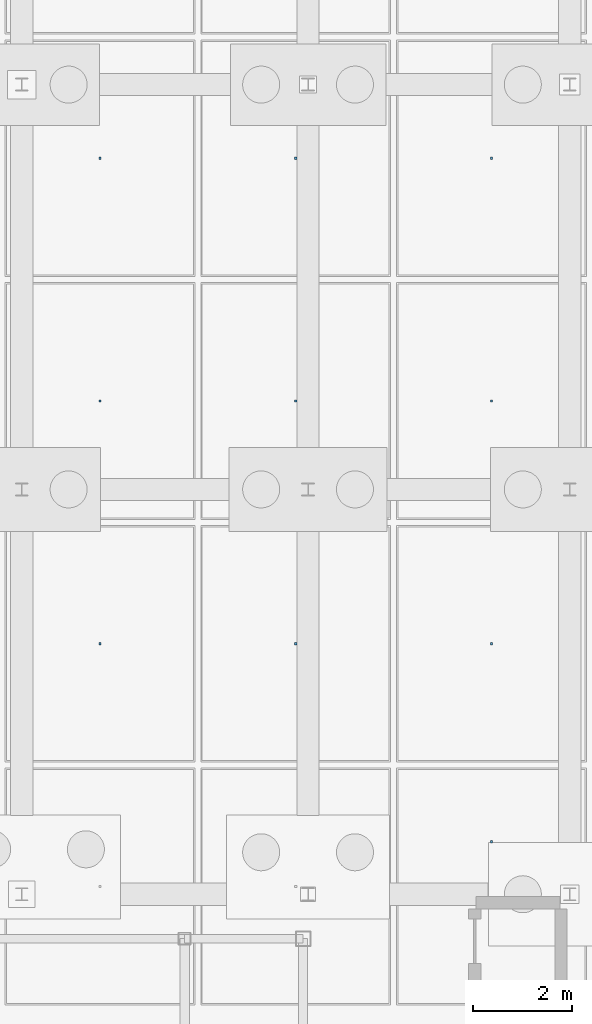
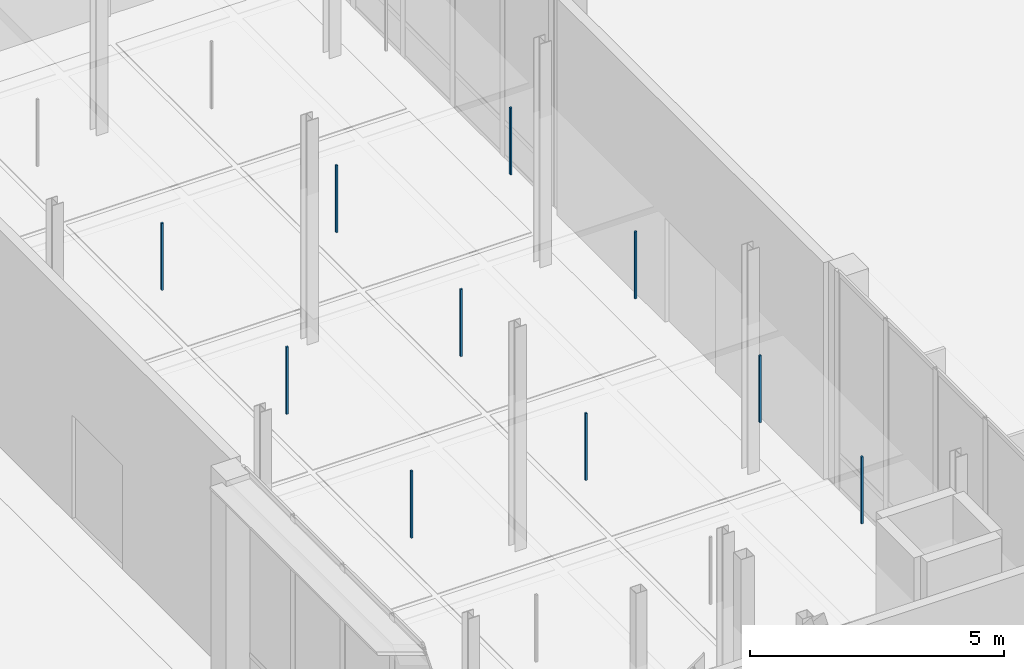
# One storey, part 123 of 180: 10 discrete accessories.
"""IFC4 building model written with IfcOpenShell, lengths in metres."""

from ifc_helpers import new_model, si_unit, direction, frame, origin, origin_2d, place, context, subcontext, project, spatial, rectangle, extrude, material, type_object, element, save


model = new_model("IFC4")

# Units and contexts
model_context = context("Model", 3, precision=1e-05, world=origin(), true_north=direction((0.0, 1.0)))
body_context = subcontext(model_context, "Body", "Model", "MODEL_VIEW")
ifc_project = project(units=[si_unit("LENGTHUNIT", "METRE"), si_unit("AREAUNIT", "SQUARE_METRE"), si_unit("VOLUMEUNIT", "CUBIC_METRE"), si_unit("PLANEANGLEUNIT", "RADIAN"), si_unit("MASSUNIT", "GRAM", prefix="KILO"), si_unit("THERMODYNAMICTEMPERATUREUNIT", "KELVIN"), si_unit("POWERUNIT", "WATT")], contexts=[model_context])

# Site, building, storey
site_placement = place(None, origin())
site = spatial("IfcSite", under=ifc_project, at=site_placement, CompositionType="ELEMENT")
building_placement = place(site_placement, origin())
building = spatial("IfcBuilding", under=site, at=building_placement, Name="Tallowbark Science Centre", CompositionType="ELEMENT")
storey_placement = place(building_placement, origin())
storey = spatial("IfcBuildingStorey", under=building, at=storey_placement, Name="L00", CompositionType="ELEMENT", Elevation=0.0)

# Discrete accessories
ifc_material = material(Name="Galvanised Steel Grade C350L0 (350 MPa)", Category="steel")
discrete_accessory_type = type_object("IfcDiscreteAccessoryType", Name="ACC-CLG-HNG", PredefinedType="BRACKET", material=ifc_material)
for number, where, z_axis, x_axis, name in (
    (1, (101.783203125, 48.875, 3.609375), (0.0, 0.0, 1.0), (1.0, 0.0, 0.0), "Ceiling Hanger Bracket L00-466"),
    (2, (101.783203125, 53.791748046875, 3.609375), (0.0, 0.0, 1.0), (1.0, 0.0, 0.0), "Ceiling Hanger Bracket L00-467"),
    (3, (101.783203125, 58.708251953125, 3.609375), (0.0, 0.0, 1.0), (1.0, 0.0, 0.0), "Ceiling Hanger Bracket L00-468"),
    (4, (105.75, 48.875, 3.609375), (0.0, 0.0, 1.0), (1.0, 0.0, 0.0), "Ceiling Hanger Bracket L00-472"),
    (5, (105.75, 53.791748046875, 3.609375), (0.0, 0.0, 1.0), (1.0, 0.0, 0.0), "Ceiling Hanger Bracket L00-473"),
    (6, (105.75, 58.708251953125, 3.609375), (0.0, 0.0, 1.0), (1.0, 0.0, 0.0), "Ceiling Hanger Bracket L00-474"),
    (7, (109.716796875, 44.86328125, 3.609375), (0.0, 0.0, 1.0), (1.0, 0.0, 0.0), "Ceiling Hanger Bracket L00-477"),
    (8, (109.716796875, 48.875, 3.609375), (0.0, 0.0, 1.0), (1.0, 0.0, 0.0), "Ceiling Hanger Bracket L00-478"),
    (9, (109.716796875, 53.791748046875, 3.609375), (0.0, 0.0, 1.0), (1.0, 0.0, 0.0), "Ceiling Hanger Bracket L00-479"),
    (10, (109.716796875, 58.708251953125, 3.609375), (0.0, 0.0, 1.0), (1.0, 0.0, 0.0), "Ceiling Hanger Bracket L00-480"),
):
    element("IfcDiscreteAccessory", number, at=place(storey_placement, frame(where, z_axis=z_axis, x_axis=x_axis)), inside=storey, type_object=discrete_accessory_type, Name=name, PredefinedType="BRACKET", context=body_context, shape_type="SweptSolid", body=[
        extrude(rectangle(XDim=0.044921875, YDim=0.044921875, at=origin_2d()), origin(), (0.0, 0.0, 1.0), 1.613525390625),
    ])

save(model, "model.ifc")
